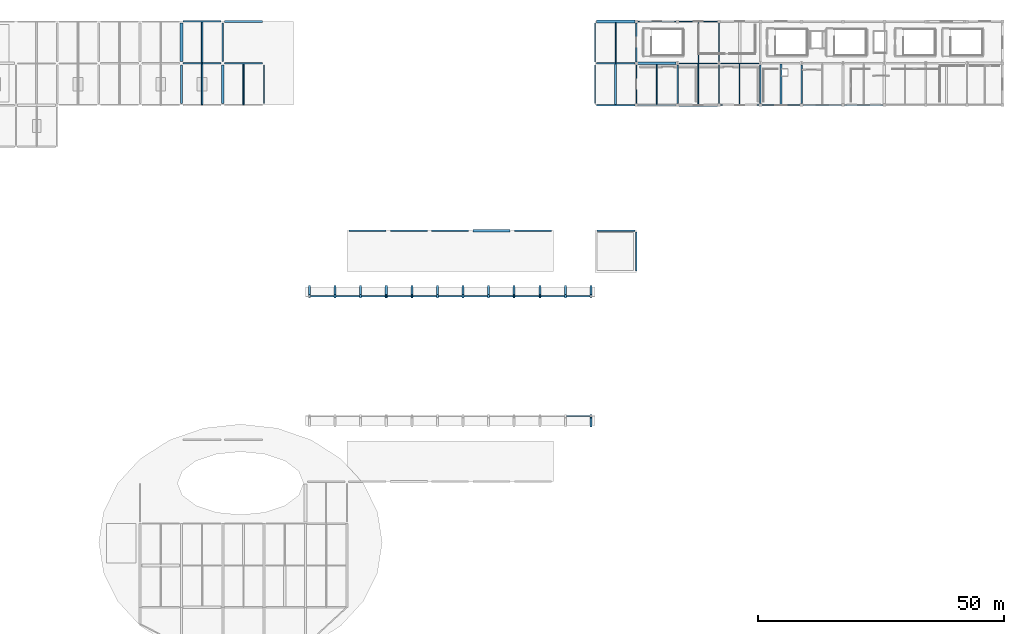
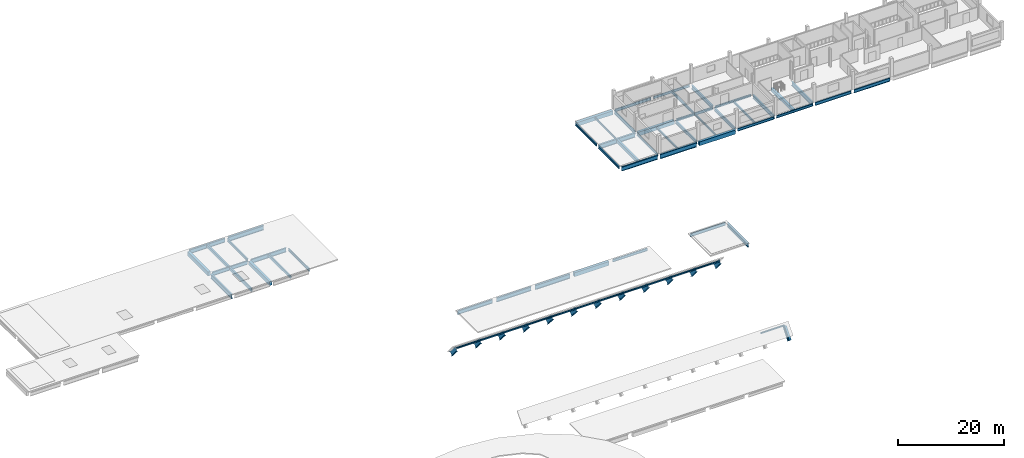
# One storey, part 5 of 13: 62 beams, 12 members.
"""IFC4 building model written with IfcOpenShell, lengths in metres."""

from ifc_helpers import new_model, si_unit, direction, frame, origin, origin_2d, place, context, subcontext, project, spatial, rectangle, hollow_rectangle, i_section, extrude, material, material_profile, profile_set, type_object, element, save


model = new_model("IFC4")

# Units and contexts
model_context = context("Model", 3, precision=1e-05, world=origin(), true_north=direction((0.0, 1.0)))
body_context = subcontext(model_context, "Body", "Model", "MODEL_VIEW")
ifc_project = project(units=[si_unit("LENGTHUNIT", "METRE"), si_unit("AREAUNIT", "SQUARE_METRE"), si_unit("VOLUMEUNIT", "CUBIC_METRE"), si_unit("PLANEANGLEUNIT", "RADIAN"), si_unit("MASSUNIT", "GRAM", prefix="KILO")], contexts=[model_context])

# Site, building, storey
site_placement = place(None, origin())
site = spatial("IfcSite", under=ifc_project, at=site_placement, CompositionType="ELEMENT")
building_placement = place(site_placement, origin())
building = spatial("IfcBuilding", under=site, at=building_placement, Name="Solvento Point Concert Hall", CompositionType="ELEMENT")
storey_placement = place(building_placement, frame((0.0, 0.0, 23.699951171875)))
storey = spatial("IfcBuildingStorey", under=building, at=storey_placement, Name="L05", CompositionType="ELEMENT", Elevation=23.699951171875)

# Beams
ifc_material_1 = material(Name="Structural Steel ASTM A992 Grade 50", Category="steel")
ifc_material_profile_1 = material_profile(ifc_material_1, i_section(OverallWidth=0.423095703125, OverallDepth=0.947998046875, WebThickness=0.02392578125, FlangeThickness=0.042724609375, at=origin_2d()), Name="W36X302")
ifc_profile_set_1 = profile_set([ifc_material_profile_1], Name="Structural Steel ASTM A992 Grade 50")
beam_type_1 = type_object("IfcBeamType", Name="ArchRib_W36X302", PredefinedType="BEAM", material=ifc_profile_set_1)
for number, where, z_axis, x_axis, name in (
    (1, (75.199951171875, 80.162109375, 1.85009765625), (0.0, 0.644303065309, -0.76477026618), (-1.0, 0.0, 0.0), "Steel arch rib AR-01 bay 1 seg 10"),
    (2, (80.39990234375, 80.162109375, 1.85009765625), (0.0, 0.644303065309, -0.76477026618), (-1.0, 0.0, 0.0), "Steel arch rib AR-01 bay 2 seg 10"),
    (3, (85.60009765625, 80.162109375, 1.85009765625), (0.0, 0.644303065309, -0.76477026618), (-1.0, 0.0, 0.0), "Steel arch rib AR-01 bay 3 seg 10"),
    (4, (90.800048828125, 80.162109375, 1.85009765625), (0.0, 0.644303065309, -0.76477026618), (-1.0, 0.0, 0.0), "Steel arch rib AR-01 bay 4 seg 10"),
    (5, (96.0, 80.162109375, 1.85009765625), (0.0, 0.644303065309, -0.76477026618), (-1.0, 0.0, 0.0), "Steel arch rib AR-01 bay 5 seg 10"),
    (6, (101.199951171875, 80.162109375, 1.85009765625), (0.0, 0.644303065309, -0.76477026618), (-1.0, 0.0, 0.0), "Steel arch rib AR-01 bay 6 seg 10"),
    (7, (106.39990234375, 80.162109375, 1.85009765625), (0.0, 0.644303065309, -0.76477026618), (-1.0, 0.0, 0.0), "Steel arch rib AR-01 bay 7 seg 10"),
    (8, (111.60009765625, 80.162109375, 1.85009765625), (0.0, 0.644303065309, -0.76477026618), (-1.0, 0.0, 0.0), "Steel arch rib AR-01 bay 8 seg 10"),
    (9, (116.800048828125, 80.162109375, 1.85009765625), (0.0, 0.644303065309, -0.76477026618), (-1.0, 0.0, 0.0), "Steel arch rib AR-01 bay 9 seg 10"),
    (10, (122.0, 80.162109375, 1.85009765625), (0.0, 0.644303065309, -0.76477026618), (-1.0, 0.0, 0.0), "Steel arch rib AR-01 bay 10 seg 10"),
    (11, (127.199951171875, 80.162109375, 1.85009765625), (0.0, 0.644303065309, -0.76477026618), (-1.0, 0.0, 0.0), "Steel arch rib AR-01 bay 11 seg 10"),
    (12, (132.39990234375, 53.956298828125, -0.38330078125), (0.0, 0.644303065309, 0.76477026618), (-1.0, 0.0, 0.0), "Steel arch rib AR-01 bay 12 seg 3"),
    (13, (132.39990234375, 80.162109375, 1.85009765625), (0.0, 0.644303065309, -0.76477026618), (-1.0, 0.0, 0.0), "Steel arch rib AR-01 bay 12 seg 10"),
):
    element("IfcBeam", number, at=place(storey_placement, frame(where, z_axis=z_axis, x_axis=x_axis)), inside=storey, type_object=beam_type_1, Name=name, PredefinedType="BEAM", context=body_context, shape_type="SweptSolid", body=[
        extrude(i_section(OverallWidth=0.423095703125, OverallDepth=0.947998046875, WebThickness=0.02392578125, FlangeThickness=0.042724609375, at=origin_2d()), origin(), (0.0, 0.0, 1.0), 2.92041015625),
    ])
ifc_material_2 = material(Name="Concrete C35/45", Category="concrete")
ifc_material_profile_2 = material_profile(ifc_material_2, rectangle(XDim=0.449951171875, YDim=0.75, at=origin_2d()), Name="RC-BM-450X750")
ifc_profile_set_2 = profile_set([ifc_material_profile_2], Name="Concrete C35/45")
beam_type_2 = type_object("IfcBeamType", Name="Beam_RC_450x750", PredefinedType="BEAM", material=ifc_profile_set_2)
beam_1_placement = place(storey_placement, frame((137.39990234375, 119.138916015625, -0.72900390625), z_axis=(0.0, 1.0, 0.0), x_axis=(-1.0, 0.0, 0.0)))
element("IfcBeam", 14, at=beam_1_placement, inside=storey, type_object=beam_type_2, Name="Secondary floor joist B-28 L05", PredefinedType="BEAM", context=body_context, shape_type="SweptSolid", body=[
    extrude(rectangle(XDim=0.449951171875, YDim=0.75, at=origin_2d()), origin(), (0.0, 0.0, 1.0), 8.195556640625),
])
beam_2_placement = place(storey_placement, frame((171.0, 119.092041015625, -0.72900390625), z_axis=(0.0, 1.0, 0.0), x_axis=(-1.0, 0.0, 0.0)))
element("IfcBeam", 15, at=beam_2_placement, inside=storey, type_object=beam_type_2, Name="Secondary floor joist B-28 L05", PredefinedType="BEAM", context=body_context, shape_type="SweptSolid", body=[
    extrude(rectangle(XDim=0.449951171875, YDim=0.75, at=origin_2d()), origin(), (0.0, 0.0, 1.0), 8.294921875),
])
ifc_material_3 = material(Name="Structural Steel ASTM A992 Grade 50", Category="steel")
ifc_material_profile_3 = material_profile(ifc_material_3, i_section(OverallWidth=0.20947265625, OverallDepth=0.532958984375, WebThickness=0.01025390625, FlangeThickness=0.015625, at=origin_2d()), Name="W21X62")
ifc_profile_set_3 = profile_set([ifc_material_profile_3], Name="Structural Steel ASTM A992 Grade 50")
beam_type_3 = type_object("IfcBeamType", Name="Beam_W21X62", PredefinedType="BEAM", material=ifc_profile_set_3)
for number, where, z_axis, x_axis, name in (
    (16, (154.199951171875, 127.59912109375, -0.620361328125), (0.0, 1.0, 0.0), (-1.0, 0.0, 0.0), "Secondary floor joist B-25 L05"),
    (17, (162.60009765625, 119.09912109375, -0.620361328125), (0.0, 1.0, 0.0), (-1.0, 0.0, 0.0), "Secondary floor joist B-25 L05"),
):
    element("IfcBeam", number, at=place(storey_placement, frame(where, z_axis=z_axis, x_axis=x_axis)), inside=storey, type_object=beam_type_3, Name=name, PredefinedType="BEAM", context=body_context, shape_type="SweptSolid", body=[
        extrude(i_section(OverallWidth=0.20947265625, OverallDepth=0.532958984375, WebThickness=0.01025390625, FlangeThickness=0.015625, at=origin_2d()), origin(), (0.0, 0.0, 1.0), 8.308837890625),
    ])
ifc_material_4 = material(Name="Structural Steel ASTM A992 Grade 50", Category="steel")
ifc_material_profile_4 = material_profile(ifc_material_4, i_section(OverallWidth=0.214111328125, OverallDepth=0.549072265625, WebThickness=0.0146484375, FlangeThickness=0.023681640625, at=origin_2d()), Name="W21X93")
ifc_profile_set_4 = profile_set([ifc_material_profile_4], Name="Structural Steel ASTM A992 Grade 50")
beam_type_4 = type_object("IfcBeamType", Name="Beam_W21X93", PredefinedType="BEAM", material=ifc_profile_set_4)
for number, where, z_axis, x_axis, name in (
    (18, (167.093994140625, 119.0, -0.62841796875), (1.0, 0.0, 0.0), (0.0, 1.0, 0.0), "Primary girder B-48 L05"),
    (19, (158.694091796875, 127.5, -0.62841796875), (1.0, 0.0, 0.0), (0.0, 1.0, 0.0), "Primary girder B-48 L05"),
    (20, (150.2939453125, 136.0, -0.62841796875), (1.0, 0.0, 0.0), (0.0, 1.0, 0.0), "Primary girder B-48 L05"),
):
    element("IfcBeam", number, at=place(storey_placement, frame(where, z_axis=z_axis, x_axis=x_axis)), inside=storey, type_object=beam_type_4, Name=name, PredefinedType="BEAM", context=body_context, shape_type="SweptSolid", body=[
        extrude(i_section(OverallWidth=0.214111328125, OverallDepth=0.549072265625, WebThickness=0.0146484375, FlangeThickness=0.023681640625, at=origin_2d()), origin(), (0.0, 0.0, 1.0), 7.81201171875),
    ])
for number, where, z_axis, x_axis, name in (
    (21, (133.199951171875, 127.7939453125, -0.538330078125), (0.0, 1.0, 0.0), (-1.0, 0.0, 0.0), "Primary girder B-48 L05"),
    (22, (141.60009765625, 119.2939453125, -0.62841796875), (0.0, 1.0, 0.0), (-1.0, 0.0, 0.0), "Primary girder B-48 L05"),
):
    element("IfcBeam", number, at=place(storey_placement, frame(where, z_axis=z_axis, x_axis=x_axis)), inside=storey, type_object=beam_type_4, Name=name, PredefinedType="BEAM", context=body_context, shape_type="SweptSolid", body=[
        extrude(i_section(OverallWidth=0.214111328125, OverallDepth=0.549072265625, WebThickness=0.0146484375, FlangeThickness=0.023681640625, at=origin_2d()), origin(), (0.0, 0.0, 1.0), 7.912109375),
    ])
ifc_material_5 = material(Name="Structural Steel ASTM A992 Grade 50", Category="steel")
ifc_material_profile_5 = material_profile(ifc_material_5, i_section(OverallWidth=0.228515625, OverallDepth=0.60791015625, WebThickness=0.01123046875, FlangeThickness=0.017333984375, at=origin_2d()), Name="W24X76")
ifc_profile_set_5 = profile_set([ifc_material_profile_5], Name="Structural Steel ASTM A992 Grade 50")
beam_type_5 = type_object("IfcBeamType", Name="Beam_W24X76", PredefinedType="BEAM", material=ifc_profile_set_5)
beam_3_placement = place(storey_placement, frame((116.843994140625, 93.5, -0.56787109375), z_axis=(1.0, 0.0, 0.0), x_axis=(0.0, 1.0, 0.0)))
element("IfcBeam", 23, at=beam_3_placement, inside=storey, type_object=beam_type_5, Name="Primary girder B-42 L05", PredefinedType="BEAM", context=body_context, shape_type="SweptSolid", body=[
    extrude(i_section(OverallWidth=0.228515625, OverallDepth=0.60791015625, WebThickness=0.01123046875, FlangeThickness=0.017333984375, at=origin_2d()), origin(), (0.0, 0.0, 1.0), 7.511962890625),
])
for number, where, z_axis, x_axis, name in (
    (24, (158.694091796875, 119.0, -0.657958984375), (1.0, 0.0, 0.0), (0.0, 1.0, 0.0), "Primary girder B-42 L05"),
    (25, (150.2939453125, 127.5, -0.657958984375), (1.0, 0.0, 0.0), (0.0, 1.0, 0.0), "Primary girder B-42 L05"),
    (26, (141.89404296875, 136.0, -0.657958984375), (1.0, 0.0, 0.0), (0.0, 1.0, 0.0), "Primary girder B-42 L05"),
    (27, (57.60009765625, 127.843994140625, -0.56787109375), (0.0, 1.0, 0.0), (-1.0, 0.0, 0.0), "Primary girder B-42 L05"),
    (28, (66.0, 119.343994140625, -0.56787109375), (0.0, 1.0, 0.0), (-1.0, 0.0, 0.0), "Primary girder B-42 L05"),
):
    element("IfcBeam", number, at=place(storey_placement, frame(where, z_axis=z_axis, x_axis=x_axis)), inside=storey, type_object=beam_type_5, Name=name, PredefinedType="BEAM", context=body_context, shape_type="SweptSolid", body=[
        extrude(i_section(OverallWidth=0.228515625, OverallDepth=0.60791015625, WebThickness=0.01123046875, FlangeThickness=0.017333984375, at=origin_2d()), origin(), (0.0, 0.0, 1.0), 7.81201171875),
    ])
beam_4_placement = place(storey_placement, frame((133.199951171875, 119.2939453125, -0.56787109375), z_axis=(0.0, 1.0, 0.0), x_axis=(-1.0, 0.0, 0.0)))
element("IfcBeam", 29, at=beam_4_placement, inside=storey, type_object=beam_type_5, Name="Primary girder B-42 L05", PredefinedType="BEAM", context=body_context, shape_type="SweptSolid", body=[
    extrude(i_section(OverallWidth=0.228515625, OverallDepth=0.60791015625, WebThickness=0.01123046875, FlangeThickness=0.017333984375, at=origin_2d()), origin(), (0.0, 0.0, 1.0), 7.912109375),
])
ifc_material_6 = material(Name="Glulam 24F-V4", Category="wood")
ifc_material_profile_6 = material_profile(ifc_material_6, rectangle(XDim=0.260009765625, YDim=0.6201171875, at=origin_2d()), Name="GL-260X620")
ifc_profile_set_6 = profile_set([ifc_material_profile_6], Name="Glulam 24F-V4")
beam_type_6 = type_object("IfcBeamType", Name="CanopyJoist_GL260", PredefinedType="JOIST", material=ifc_profile_set_6)
beam_5_placement = place(storey_placement, frame((61.800048828125, 119.131103515625, -0.573974609375), z_axis=(0.0, 1.0, 0.0), x_axis=(-1.0, 0.0, 0.0)))
element("IfcBeam", 30, at=beam_5_placement, inside=storey, type_object=beam_type_6, Name="Secondary floor joist B-85 L05", PredefinedType="JOIST", context=body_context, shape_type="SweptSolid", body=[
    extrude(rectangle(XDim=0.260009765625, YDim=0.6201171875, at=origin_2d()), origin(), (0.0, 0.0, 1.0), 8.22998046875),
])
ifc_material_7 = material(Name="Concrete C35/45", Category="concrete")
ifc_material_profile_7 = material_profile(ifc_material_7, rectangle(XDim=0.550048828125, YDim=0.89990234375, at=origin_2d()), Name="RC-BM-550X900")
ifc_profile_set_7 = profile_set([ifc_material_profile_7], Name="Concrete C35/45")
beam_type_7 = type_object("IfcBeamType", Name="Girder_RC_550x900", PredefinedType="USERDEFINED", material=ifc_profile_set_7)
beam_6_placement = place(storey_placement, frame((108.444091796875, 93.5, -0.7138671875), z_axis=(1.0, 0.0, 0.0), x_axis=(0.0, 1.0, 0.0)))
element("IfcBeam", 31, at=beam_6_placement, inside=storey, type_object=beam_type_7, Name="Primary girder B-39 L05", ObjectType="GIRDER", PredefinedType="USERDEFINED", context=body_context, shape_type="SweptSolid", body=[
    extrude(rectangle(XDim=0.550048828125, YDim=0.89990234375, at=origin_2d()), origin(), (0.0, 0.0, 1.0), 7.511962890625),
])
for number, where, z_axis, x_axis, name in (
    (32, (150.2939453125, 119.0, -0.803955078125), (1.0, 0.0, 0.0), (0.0, 1.0, 0.0), "Primary girder B-39 L05"),
    (33, (141.89404296875, 127.5, -0.803955078125), (1.0, 0.0, 0.0), (0.0, 1.0, 0.0), "Primary girder B-39 L05"),
    (34, (133.493896484375, 136.0, -0.803955078125), (1.0, 0.0, 0.0), (0.0, 1.0, 0.0), "Primary girder B-39 L05"),
    (35, (49.199951171875, 127.843994140625, -0.7138671875), (0.0, 1.0, 0.0), (-1.0, 0.0, 0.0), "Primary girder B-39 L05"),
    (36, (57.60009765625, 119.343994140625, -0.7138671875), (0.0, 1.0, 0.0), (-1.0, 0.0, 0.0), "Primary girder B-39 L05"),
):
    element("IfcBeam", number, at=place(storey_placement, frame(where, z_axis=z_axis, x_axis=x_axis)), inside=storey, type_object=beam_type_7, Name=name, ObjectType="GIRDER", PredefinedType="USERDEFINED", context=body_context, shape_type="SweptSolid", body=[
        extrude(rectangle(XDim=0.550048828125, YDim=0.89990234375, at=origin_2d()), origin(), (0.0, 0.0, 1.0), 7.81201171875),
    ])
ifc_material_8 = material(Name="Structural Steel ASTM A992 Grade 50", Category="steel")
ifc_material_profile_8 = material_profile(ifc_material_8, i_section(OverallWidth=0.256103515625, OverallDepth=0.693115234375, WebThickness=0.014404296875, FlangeThickness=0.023681640625, at=origin_2d()), Name="W27X114")
ifc_profile_set_8 = profile_set([ifc_material_profile_8], Name="Structural Steel ASTM A992 Grade 50")
beam_type_8 = type_object("IfcBeamType", Name="Girder_W27X114", PredefinedType="USERDEFINED", material=ifc_profile_set_8)
beam_7_placement = place(storey_placement, frame((133.64404296875, 93.5, -0.6103515625), z_axis=(1.0, 0.0, 0.0), x_axis=(0.0, 1.0, 0.0)))
element("IfcBeam", 37, at=beam_7_placement, inside=storey, type_object=beam_type_8, Name="Primary girder B-23 L05", ObjectType="GIRDER", PredefinedType="USERDEFINED", context=body_context, shape_type="SweptSolid", body=[
    extrude(i_section(OverallWidth=0.256103515625, OverallDepth=0.693115234375, WebThickness=0.014404296875, FlangeThickness=0.023681640625, at=origin_2d()), origin(), (0.0, 0.0, 1.0), 7.661865234375),
])
beam_8_placement = place(storey_placement, frame((175.493896484375, 119.0, -0.600341796875), z_axis=(1.0, 0.0, 0.0), x_axis=(0.0, 1.0, 0.0)))
element("IfcBeam", 38, at=beam_8_placement, inside=storey, type_object=beam_type_8, Name="Primary girder B-23 L05", ObjectType="GIRDER", PredefinedType="USERDEFINED", context=body_context, shape_type="SweptSolid", body=[
    extrude(i_section(OverallWidth=0.256103515625, OverallDepth=0.693115234375, WebThickness=0.014404296875, FlangeThickness=0.023681640625, at=origin_2d()), origin(), (0.0, 0.0, 1.0), 7.81201171875),
])
for number, where, z_axis, x_axis, name in (
    (39, (141.60009765625, 127.7939453125, -0.700439453125), (0.0, 1.0, 0.0), (-1.0, 0.0, 0.0), "Primary girder B-23 L05"),
    (40, (150.0, 119.2939453125, -0.700439453125), (0.0, 1.0, 0.0), (-1.0, 0.0, 0.0), "Primary girder B-23 L05"),
):
    element("IfcBeam", number, at=place(storey_placement, frame(where, z_axis=z_axis, x_axis=x_axis)), inside=storey, type_object=beam_type_8, Name=name, ObjectType="GIRDER", PredefinedType="USERDEFINED", context=body_context, shape_type="SweptSolid", body=[
        extrude(i_section(OverallWidth=0.256103515625, OverallDepth=0.693115234375, WebThickness=0.014404296875, FlangeThickness=0.023681640625, at=origin_2d()), origin(), (0.0, 0.0, 1.0), 7.912109375),
    ])
ifc_material_9 = material(Name="Structural Steel ASTM A992 Grade 50", Category="steel")
ifc_material_profile_9 = material_profile(ifc_material_9, i_section(OverallWidth=0.26806640625, OverallDepth=0.77001953125, WebThickness=0.015625, FlangeThickness=0.025390625, at=origin_2d()), Name="W30X132")
ifc_profile_set_9 = profile_set([ifc_material_profile_9], Name="Structural Steel ASTM A992 Grade 50")
beam_type_9 = type_object("IfcBeamType", Name="Girder_W30X132", PredefinedType="USERDEFINED", material=ifc_profile_set_9)
beam_9_placement = place(storey_placement, frame((183.89404296875, 119.0, -0.638916015625), z_axis=(1.0, 0.0, 0.0), x_axis=(0.0, 1.0, 0.0)))
element("IfcBeam", 41, at=beam_9_placement, inside=storey, type_object=beam_type_9, Name="Primary girder B-68 L05", ObjectType="GIRDER", PredefinedType="USERDEFINED", context=body_context, shape_type="SweptSolid", body=[
    extrude(i_section(OverallWidth=0.26806640625, OverallDepth=0.77001953125, WebThickness=0.015625, FlangeThickness=0.025390625, at=origin_2d()), origin(), (0.0, 0.0, 1.0), 7.81201171875),
])
beam_10_placement = place(storey_placement, frame((158.39990234375, 119.2939453125, -0.739013671875), z_axis=(0.0, 1.0, 0.0), x_axis=(-1.0, 0.0, 0.0)))
element("IfcBeam", 42, at=beam_10_placement, inside=storey, type_object=beam_type_9, Name="Primary girder B-68 L05", ObjectType="GIRDER", PredefinedType="USERDEFINED", context=body_context, shape_type="SweptSolid", body=[
    extrude(i_section(OverallWidth=0.26806640625, OverallDepth=0.77001953125, WebThickness=0.015625, FlangeThickness=0.025390625, at=origin_2d()), origin(), (0.0, 0.0, 1.0), 7.912109375),
])
ifc_material_10 = material(Name="Structural Steel ASTM A992 Grade 50", Category="steel")
ifc_material_profile_10 = material_profile(ifc_material_10, i_section(OverallWidth=0.2919921875, OverallDepth=0.85888671875, WebThickness=0.01708984375, FlangeThickness=0.031005859375, at=origin_2d()), Name="W33X169")
ifc_profile_set_10 = profile_set([ifc_material_profile_10], Name="Structural Steel ASTM A992 Grade 50")
beam_type_10 = type_object("IfcBeamType", Name="Girder_W33X169", PredefinedType="USERDEFINED", material=ifc_profile_set_10)
beam_11_placement = place(storey_placement, frame((83.243896484375, 93.5, -0.693359375), z_axis=(1.0, 0.0, 0.0), x_axis=(0.0, 1.0, 0.0)))
element("IfcBeam", 43, at=beam_11_placement, inside=storey, type_object=beam_type_10, Name="Primary girder B-33 L05", ObjectType="GIRDER", PredefinedType="USERDEFINED", context=body_context, shape_type="SweptSolid", body=[
    extrude(i_section(OverallWidth=0.2919921875, OverallDepth=0.85888671875, WebThickness=0.01708984375, FlangeThickness=0.031005859375, at=origin_2d()), origin(), (0.0, 0.0, 1.0), 7.51220703125),
])
beam_12_placement = place(storey_placement, frame((49.5439453125, 127.5, -0.693359375), z_axis=(1.0, 0.0, 0.0), x_axis=(0.0, 1.0, 0.0)))
element("IfcBeam", 44, at=beam_12_placement, inside=storey, type_object=beam_type_10, Name="Primary girder B-33 L05", ObjectType="GIRDER", PredefinedType="USERDEFINED", context=body_context, shape_type="SweptSolid", body=[
    extrude(i_section(OverallWidth=0.2919921875, OverallDepth=0.85888671875, WebThickness=0.01708984375, FlangeThickness=0.031005859375, at=origin_2d()), origin(), (0.0, 0.0, 1.0), 7.712158203125),
])
for number, where, z_axis, x_axis, name in (
    (45, (158.39990234375, 127.7939453125, -0.783447265625), (0.0, 1.0, 0.0), (-1.0, 0.0, 0.0), "Primary girder B-33 L05"),
    (46, (166.800048828125, 119.2939453125, -0.783447265625), (0.0, 1.0, 0.0), (-1.0, 0.0, 0.0), "Primary girder B-33 L05"),
):
    element("IfcBeam", number, at=place(storey_placement, frame(where, z_axis=z_axis, x_axis=x_axis)), inside=storey, type_object=beam_type_10, Name=name, ObjectType="GIRDER", PredefinedType="USERDEFINED", context=body_context, shape_type="SweptSolid", body=[
        extrude(i_section(OverallWidth=0.2919921875, OverallDepth=0.85888671875, WebThickness=0.01708984375, FlangeThickness=0.031005859375, at=origin_2d()), origin(), (0.0, 0.0, 1.0), 7.912109375),
    ])
ifc_material_11 = material(Name="Structural Steel ASTM A992 Grade 50", Category="steel")
ifc_material_profile_11 = material_profile(ifc_material_11, i_section(OverallWidth=0.3076171875, OverallDepth=0.927001953125, WebThickness=0.019287109375, FlangeThickness=0.031982421875, at=origin_2d()), Name="W36X194")
ifc_profile_set_11 = profile_set([ifc_material_profile_11], Name="Structural Steel ASTM A992 Grade 50")
beam_type_11 = type_object("IfcBeamType", Name="Girder_W36X194", PredefinedType="USERDEFINED", material=ifc_profile_set_11)
beam_13_placement = place(storey_placement, frame((91.64404296875, 93.5, -0.7275390625), z_axis=(1.0, 0.0, 0.0), x_axis=(0.0, 1.0, 0.0)))
element("IfcBeam", 47, at=beam_13_placement, inside=storey, type_object=beam_type_11, Name="Primary girder B-61 L05", ObjectType="GIRDER", PredefinedType="USERDEFINED", context=body_context, shape_type="SweptSolid", body=[
    extrude(i_section(OverallWidth=0.3076171875, OverallDepth=0.927001953125, WebThickness=0.019287109375, FlangeThickness=0.031982421875, at=origin_2d()), origin(), (0.0, 0.0, 1.0), 7.511962890625),
])
beam_14_placement = place(storey_placement, frame((133.493896484375, 119.0, -0.8173828125), z_axis=(1.0, 0.0, 0.0), x_axis=(0.0, 1.0, 0.0)))
element("IfcBeam", 48, at=beam_14_placement, inside=storey, type_object=beam_type_11, Name="Primary girder B-61 L05", ObjectType="GIRDER", PredefinedType="USERDEFINED", context=body_context, shape_type="SweptSolid", body=[
    extrude(i_section(OverallWidth=0.3076171875, OverallDepth=0.927001953125, WebThickness=0.019287109375, FlangeThickness=0.031982421875, at=origin_2d()), origin(), (0.0, 0.0, 1.0), 7.81201171875),
])
beam_15_placement = place(storey_placement, frame((57.944091796875, 127.5, -0.7275390625), z_axis=(1.0, 0.0, 0.0), x_axis=(0.0, 1.0, 0.0)))
element("IfcBeam", 49, at=beam_15_placement, inside=storey, type_object=beam_type_11, Name="Primary girder B-61 L05", ObjectType="GIRDER", PredefinedType="USERDEFINED", context=body_context, shape_type="SweptSolid", body=[
    extrude(i_section(OverallWidth=0.3076171875, OverallDepth=0.927001953125, WebThickness=0.019287109375, FlangeThickness=0.031982421875, at=origin_2d()), origin(), (0.0, 0.0, 1.0), 7.7119140625),
])
beam_16_placement = place(storey_placement, frame((49.5439453125, 136.0, -0.7275390625), z_axis=(1.0, 0.0, 0.0), x_axis=(0.0, 1.0, 0.0)))
element("IfcBeam", 50, at=beam_16_placement, inside=storey, type_object=beam_type_11, Name="Primary girder B-61 L05", ObjectType="GIRDER", PredefinedType="USERDEFINED", context=body_context, shape_type="SweptSolid", body=[
    extrude(i_section(OverallWidth=0.3076171875, OverallDepth=0.927001953125, WebThickness=0.019287109375, FlangeThickness=0.031982421875, at=origin_2d()), origin(), (0.0, 0.0, 1.0), 7.712158203125),
])
for number, where, z_axis, x_axis, name in (
    (51, (141.60009765625, 85.2939453125, -0.7275390625), (0.0, 1.0, 0.0), (-1.0, 0.0, 0.0), "Primary girder B-61 L05"),
    (52, (175.199951171875, 119.2939453125, -0.717529296875), (0.0, 1.0, 0.0), (-1.0, 0.0, 0.0), "Primary girder B-61 L05"),
):
    element("IfcBeam", number, at=place(storey_placement, frame(where, z_axis=z_axis, x_axis=x_axis)), inside=storey, type_object=beam_type_11, Name=name, ObjectType="GIRDER", PredefinedType="USERDEFINED", context=body_context, shape_type="SweptSolid", body=[
        extrude(i_section(OverallWidth=0.3076171875, OverallDepth=0.927001953125, WebThickness=0.019287109375, FlangeThickness=0.031982421875, at=origin_2d()), origin(), (0.0, 0.0, 1.0), 7.912109375),
    ])
ifc_material_12 = material(Name="Structural Steel ASTM A992 Grade 50", Category="steel")
ifc_material_profile_12 = material_profile(ifc_material_12, i_section(OverallWidth=0.361083984375, OverallDepth=1.02587890625, WebThickness=0.01904296875, FlangeThickness=0.0361328125, at=origin_2d()), Name="W40X249")
ifc_profile_set_12 = profile_set([ifc_material_profile_12], Name="Structural Steel ASTM A992 Grade 50")
beam_type_12 = type_object("IfcBeamType", Name="Girder_W40X249", PredefinedType="USERDEFINED", material=ifc_profile_set_12)
beam_17_placement = place(storey_placement, frame((100.0439453125, 93.5, -0.77685546875), z_axis=(1.0, 0.0, 0.0), x_axis=(0.0, 1.0, 0.0)))
element("IfcBeam", 53, at=beam_17_placement, inside=storey, type_object=beam_type_12, Name="Primary girder B-29 L05", ObjectType="GIRDER", PredefinedType="USERDEFINED", context=body_context, shape_type="SweptSolid", body=[
    extrude(i_section(OverallWidth=0.361083984375, OverallDepth=1.02587890625, WebThickness=0.01904296875, FlangeThickness=0.0361328125, at=origin_2d()), origin(), (0.0, 0.0, 1.0), 7.511962890625),
])
for number, where, z_axis, x_axis, name in (
    (54, (141.89404296875, 119.0, -0.866943359375), (1.0, 0.0, 0.0), (0.0, 1.0, 0.0), "Primary girder B-29 L05"),
    (55, (133.493896484375, 127.5, -0.866943359375), (1.0, 0.0, 0.0), (0.0, 1.0, 0.0), "Primary girder B-29 L05"),
):
    element("IfcBeam", number, at=place(storey_placement, frame(where, z_axis=z_axis, x_axis=x_axis)), inside=storey, type_object=beam_type_12, Name=name, ObjectType="GIRDER", PredefinedType="USERDEFINED", context=body_context, shape_type="SweptSolid", body=[
        extrude(i_section(OverallWidth=0.361083984375, OverallDepth=1.02587890625, WebThickness=0.01904296875, FlangeThickness=0.0361328125, at=origin_2d()), origin(), (0.0, 0.0, 1.0), 7.81201171875),
    ])
beam_18_placement = place(storey_placement, frame((57.944091796875, 136.0, -0.77685546875), z_axis=(1.0, 0.0, 0.0), x_axis=(0.0, 1.0, 0.0)))
element("IfcBeam", 56, at=beam_18_placement, inside=storey, type_object=beam_type_12, Name="Primary girder B-29 L05", ObjectType="GIRDER", PredefinedType="USERDEFINED", context=body_context, shape_type="SweptSolid", body=[
    extrude(i_section(OverallWidth=0.361083984375, OverallDepth=1.02587890625, WebThickness=0.01904296875, FlangeThickness=0.0361328125, at=origin_2d()), origin(), (0.0, 0.0, 1.0), 7.7119140625),
])
beam_19_placement = place(storey_placement, frame((49.199951171875, 119.343994140625, -0.77685546875), z_axis=(0.0, 1.0, 0.0), x_axis=(-1.0, 0.0, 0.0)))
element("IfcBeam", 57, at=beam_19_placement, inside=storey, type_object=beam_type_12, Name="Primary girder B-29 L05", ObjectType="GIRDER", PredefinedType="USERDEFINED", context=body_context, shape_type="SweptSolid", body=[
    extrude(i_section(OverallWidth=0.361083984375, OverallDepth=1.02587890625, WebThickness=0.01904296875, FlangeThickness=0.0361328125, at=origin_2d()), origin(), (0.0, 0.0, 1.0), 7.81201171875),
])
ifc_material_13 = material(Name="Structural Steel ASTM A992 Grade 50", Category="steel")
ifc_material_profile_13 = material_profile(ifc_material_13, i_section(OverallWidth=0.177490234375, OverallDepth=0.403076171875, WebThickness=0.007568359375, FlangeThickness=0.010986328125, at=origin_2d()), Name="W16X36")
ifc_profile_set_13 = profile_set([ifc_material_profile_13], Name="Structural Steel ASTM A992 Grade 50")
beam_type_13 = type_object("IfcBeamType", Name="Joist_W16X36", PredefinedType="JOIST", material=ifc_profile_set_13)
beam_20_placement = place(storey_placement, frame((154.199951171875, 119.260009765625, -0.555419921875), z_axis=(0.0, 1.0, 0.0), x_axis=(-1.0, 0.0, 0.0)))
element("IfcBeam", 58, at=beam_20_placement, inside=storey, type_object=beam_type_13, Name="Secondary floor joist B-30 L05", PredefinedType="JOIST", context=body_context, shape_type="SweptSolid", body=[
    extrude(i_section(OverallWidth=0.177490234375, OverallDepth=0.403076171875, WebThickness=0.007568359375, FlangeThickness=0.010986328125, at=origin_2d()), origin(), (0.0, 0.0, 1.0), 8.140869140625),
])
ifc_material_14 = material(Name="Structural Steel ASTM A992 Grade 50", Category="steel")
ifc_material_profile_14 = material_profile(ifc_material_14, i_section(OverallWidth=0.1904296875, OverallDepth=0.45703125, WebThickness=0.009033203125, FlangeThickness=0.014404296875, at=origin_2d()), Name="W18X50")
ifc_profile_set_14 = profile_set([ifc_material_profile_14], Name="Structural Steel ASTM A992 Grade 50")
beam_type_14 = type_object("IfcBeamType", Name="Joist_W18X50", PredefinedType="JOIST", material=ifc_profile_set_14)
for number, where, z_axis, x_axis, name in (
    (59, (137.39990234375, 127.66552734375, -0.58251953125), (0.0, 1.0, 0.0), (-1.0, 0.0, 0.0), "Secondary floor joist B-66 L05"),
    (60, (145.800048828125, 119.16552734375, -0.58251953125), (0.0, 1.0, 0.0), (-1.0, 0.0, 0.0), "Secondary floor joist B-66 L05"),
):
    element("IfcBeam", number, at=place(storey_placement, frame(where, z_axis=z_axis, x_axis=x_axis)), inside=storey, type_object=beam_type_14, Name=name, PredefinedType="JOIST", context=body_context, shape_type="SweptSolid", body=[
        extrude(i_section(OverallWidth=0.1904296875, OverallDepth=0.45703125, WebThickness=0.009033203125, FlangeThickness=0.014404296875, at=origin_2d()), origin(), (0.0, 0.0, 1.0), 8.074462890625),
    ])

# Members
ifc_material_15 = material(Name="Structural Steel ASTM A500 Grade C", Category="steel")
ifc_material_profile_15 = material_profile(ifc_material_15, hollow_rectangle(XDim=0.25390625, YDim=0.25390625, WallThickness=0.01171875, at=origin_2d()), Name="HSS10X10X1/2")
ifc_profile_set_15 = profile_set([ifc_material_profile_15], Name="Structural Steel ASTM A500 Grade C")
member_type = type_object("IfcMemberType", Name="ShellPurlin_HSS10", PredefinedType="PURLIN", material=ifc_profile_set_15)
for number, where, z_axis, x_axis, name in (
    (61, (75.215087890625, 80.162109375, 2.02001953125), (1.0, 0.0, 0.0), (0.0, 1.0, 0.0), "Acoustic shell steel purlin M-49"),
    (62, (80.4150390625, 80.162109375, 2.02001953125), (1.0, 0.0, 0.0), (0.0, 1.0, 0.0), "Acoustic shell steel purlin M-49"),
    (63, (85.614990234375, 80.162109375, 2.02001953125), (1.0, 0.0, 0.0), (0.0, 1.0, 0.0), "Acoustic shell steel purlin M-49"),
):
    element("IfcMember", number, at=place(storey_placement, frame(where, z_axis=z_axis, x_axis=x_axis)), inside=storey, type_object=member_type, Name=name, PredefinedType="PURLIN", context=body_context, shape_type="SweptSolid", body=[
        extrude(hollow_rectangle(XDim=0.25390625, YDim=0.25390625, WallThickness=0.01171875, at=origin_2d()), origin(), (0.0, 0.0, 1.0), 5.169921875),
    ])
for number, where, z_axis, x_axis, name in (
    (64, (90.81494140625, 80.162109375, 2.02001953125), (1.0, 0.0, 0.0), (0.0, 1.0, 0.0), "Acoustic shell steel purlin M-49"),
    (65, (96.014892578125, 80.162109375, 2.02001953125), (1.0, 0.0, 0.0), (0.0, 1.0, 0.0), "Acoustic shell steel purlin M-49"),
):
    element("IfcMember", number, at=place(storey_placement, frame(where, z_axis=z_axis, x_axis=x_axis)), inside=storey, type_object=member_type, Name=name, PredefinedType="PURLIN", context=body_context, shape_type="SweptSolid", body=[
        extrude(hollow_rectangle(XDim=0.25390625, YDim=0.25390625, WallThickness=0.01171875, at=origin_2d()), origin(), (0.0, 0.0, 1.0), 5.170166015625),
    ])
for number, where, z_axis, x_axis, name in (
    (66, (101.215087890625, 80.162109375, 2.02001953125), (1.0, 0.0, 0.0), (0.0, 1.0, 0.0), "Acoustic shell steel purlin M-49"),
    (67, (106.4150390625, 80.162109375, 2.02001953125), (1.0, 0.0, 0.0), (0.0, 1.0, 0.0), "Acoustic shell steel purlin M-49"),
    (68, (111.614990234375, 80.162109375, 2.02001953125), (1.0, 0.0, 0.0), (0.0, 1.0, 0.0), "Acoustic shell steel purlin M-49"),
):
    element("IfcMember", number, at=place(storey_placement, frame(where, z_axis=z_axis, x_axis=x_axis)), inside=storey, type_object=member_type, Name=name, PredefinedType="PURLIN", context=body_context, shape_type="SweptSolid", body=[
        extrude(hollow_rectangle(XDim=0.25390625, YDim=0.25390625, WallThickness=0.01171875, at=origin_2d()), origin(), (0.0, 0.0, 1.0), 5.169921875),
    ])
for number, where, z_axis, x_axis, name in (
    (69, (116.81494140625, 80.162109375, 2.02001953125), (1.0, 0.0, 0.0), (0.0, 1.0, 0.0), "Acoustic shell steel purlin M-49"),
    (70, (122.014892578125, 80.162109375, 2.02001953125), (1.0, 0.0, 0.0), (0.0, 1.0, 0.0), "Acoustic shell steel purlin M-49"),
):
    element("IfcMember", number, at=place(storey_placement, frame(where, z_axis=z_axis, x_axis=x_axis)), inside=storey, type_object=member_type, Name=name, PredefinedType="PURLIN", context=body_context, shape_type="SweptSolid", body=[
        extrude(hollow_rectangle(XDim=0.25390625, YDim=0.25390625, WallThickness=0.01171875, at=origin_2d()), origin(), (0.0, 0.0, 1.0), 5.170166015625),
    ])
for number, where, z_axis, x_axis, name in (
    (71, (127.215087890625, 55.837890625, 2.02001953125), (1.0, 0.0, 0.0), (0.0, 1.0, 0.0), "Acoustic shell steel purlin M-49"),
    (72, (127.215087890625, 80.162109375, 2.02001953125), (1.0, 0.0, 0.0), (0.0, 1.0, 0.0), "Acoustic shell steel purlin M-49"),
):
    element("IfcMember", number, at=place(storey_placement, frame(where, z_axis=z_axis, x_axis=x_axis)), inside=storey, type_object=member_type, Name=name, PredefinedType="PURLIN", context=body_context, shape_type="SweptSolid", body=[
        extrude(hollow_rectangle(XDim=0.25390625, YDim=0.25390625, WallThickness=0.01171875, at=origin_2d()), origin(), (0.0, 0.0, 1.0), 5.169921875),
    ])

# Beams
ifc_material_16 = material(Name="Glulam 24F-V4", Category="wood")
ifc_material_profile_16 = material_profile(ifc_material_16, rectangle(XDim=0.300048828125, YDim=0.719970703125, at=origin_2d()), Name="GL-300X720")
ifc_profile_set_16 = profile_set([ifc_material_profile_16], Name="Glulam 24F-V4")
beam_type_15 = type_object("IfcBeamType", Name="StudioRafter_GL300", PredefinedType="BEAM", material=ifc_profile_set_16)
beam_21_placement = place(storey_placement, frame((53.39990234375, 119.118896484375, -0.6240234375), z_axis=(0.0, 1.0, 0.0), x_axis=(-1.0, 0.0, 0.0)))
element("IfcBeam", 73, at=beam_21_placement, inside=storey, type_object=beam_type_15, Name="Secondary floor joist B-79 L05", PredefinedType="BEAM", context=body_context, shape_type="SweptSolid", body=[
    extrude(rectangle(XDim=0.300048828125, YDim=0.719970703125, at=origin_2d()), origin(), (0.0, 0.0, 1.0), 8.25),
])
beam_22_placement = place(storey_placement, frame((53.39990234375, 127.631103515625, -0.6240234375), z_axis=(0.0, 1.0, 0.0), x_axis=(-1.0, 0.0, 0.0)))
element("IfcBeam", 74, at=beam_22_placement, inside=storey, type_object=beam_type_15, Name="Secondary floor joist B-79 L05", PredefinedType="BEAM", context=body_context, shape_type="SweptSolid", body=[
    extrude(rectangle(XDim=0.300048828125, YDim=0.719970703125, at=origin_2d()), origin(), (0.0, 0.0, 1.0), 8.22998046875),
])

save(model, "model.ifc")
